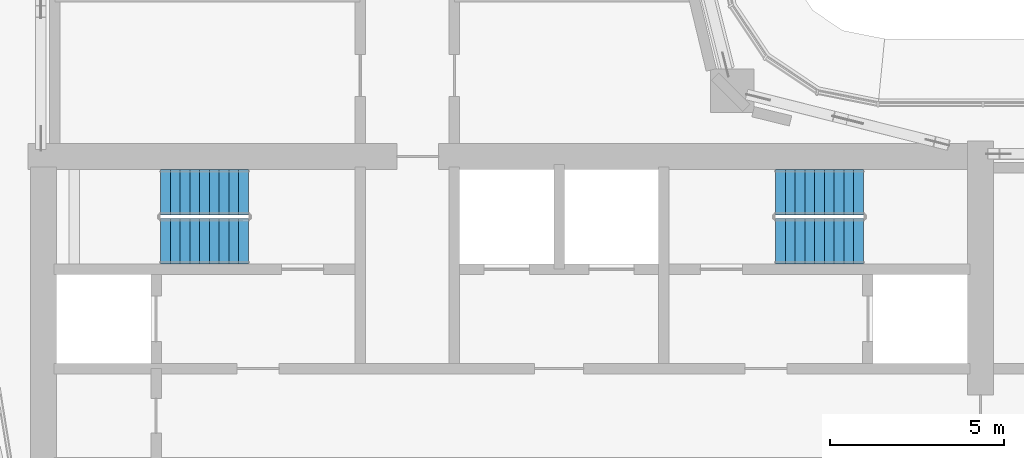
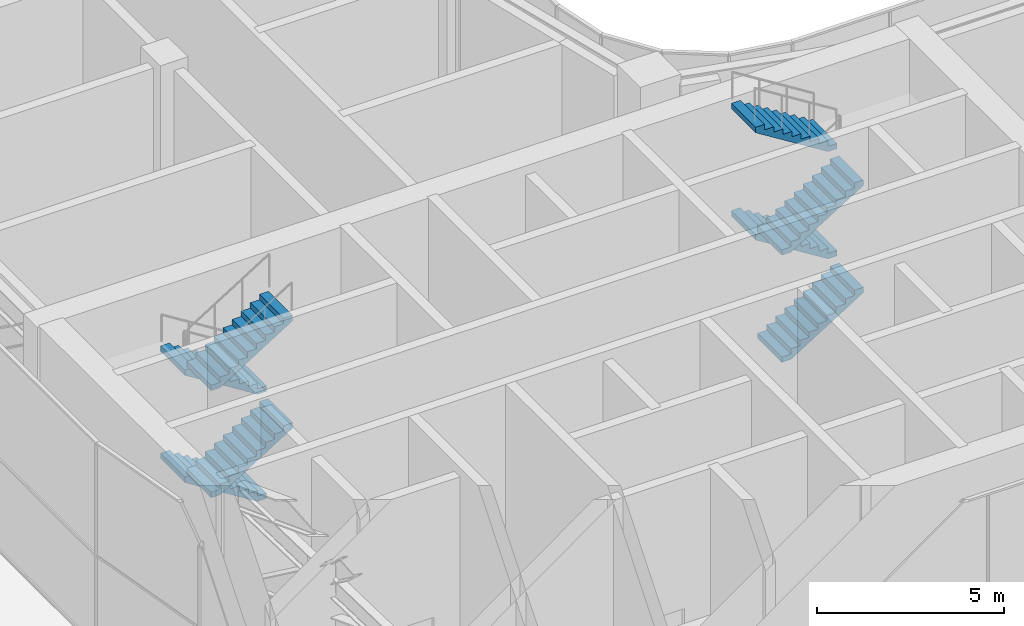
# One storey, part 19 of 35: 8 stair flights, 2 elements without a shape of their own.
"""IFC4 building model written with IfcOpenShell, lengths in metres."""

from ifc_helpers import new_model, si_unit, direction, frame, origin, place, context, subcontext, project, spatial, triangles, source, transform, mapped, material, type_object, element, aggregate, save


model = new_model("IFC4")

# Units and contexts
model_context = context("Model", 3, precision=1e-05, world=origin(), true_north=direction((0.0, 1.0)))
body_context = subcontext(model_context, "Body", "Model", "MODEL_VIEW")
ifc_project = project(units=[si_unit("LENGTHUNIT", "METRE"), si_unit("AREAUNIT", "SQUARE_METRE"), si_unit("VOLUMEUNIT", "CUBIC_METRE"), si_unit("PLANEANGLEUNIT", "RADIAN"), si_unit("MASSUNIT", "GRAM", prefix="KILO")], contexts=[model_context])

# Site, building, storey
site_placement = place(None, origin())
site = spatial("IfcSite", under=ifc_project, at=site_placement, CompositionType="ELEMENT")
building_placement = place(site_placement, origin())
building = spatial("IfcBuilding", under=site, at=building_placement, Name="Ogive Portal Towers", CompositionType="ELEMENT")
storey_placement = place(building_placement, frame((0.0, 0.0, 135.199951171875)))
storey = spatial("IfcBuildingStorey", under=building, at=storey_placement, Name="L33", CompositionType="ELEMENT", Elevation=135.199951171875)

# Stair, stair flights
ifc_material = material(Name="Concrete C40/50", Category="concrete")
stair_type = type_object("IfcStairType", Name="INT-STAIR", PredefinedType="HALF_TURN_STAIR", material=ifc_material)
stair_1_placement = place(storey_placement, origin())
stair_1 = element("IfcStair", 1, at=stair_1_placement, inside=storey, type_object=stair_type, Name="L33 Exit Stair ST-A1", PredefinedType="HALF_TURN_STAIR")
stair_flight_type = type_object("IfcStairFlightType", Name="INT-FLIGHT", PredefinedType="STRAIGHT", material=ifc_material)
shared_shape = source(origin(), body_context, "Body", "Tessellation", [
    triangles([(0.0, -0.650146484375, 0.0), (0.0, -0.376220703125, 0.0), (0.0, -0.192626953125, 0.0), (0.0, -0.081298828125, 0.0), (0.0, -0.024169921875, 0.0), (0.0, -0.003173828125, 0.0), (0.0, 0.0, 0.0), (0.0, 0.0029296875, 0.0), (0.0, 0.02392578125, 0.0), (0.0, 0.0810546875, 0.0), (0.0, 0.1923828125, 0.0), (0.0, 0.3759765625, 0.0), (0.0, 0.64990234375, 0.0), (0.0, -0.650146484375, 0.175048828125), (0.0, -0.376220703125, 0.175048828125), (0.0, -0.192626953125, 0.175048828125), (0.0, -0.081298828125, 0.175048828125), (0.0, -0.024169921875, 0.175048828125), (0.0, -0.003173828125, 0.175048828125), (0.0, 0.0, 0.175048828125), (0.0, 0.0029296875, 0.175048828125), (0.0, 0.02392578125, 0.175048828125), (0.0, 0.0810546875, 0.175048828125), (0.0, 0.1923828125, 0.175048828125), (0.0, 0.3759765625, 0.175048828125), (0.0, 0.64990234375, 0.175048828125), (0.280029296875, -0.650146484375, 0.175048828125), (0.280029296875, -0.376220703125, 0.175048828125), (0.280029296875, -0.192626953125, 0.175048828125), (0.280029296875, -0.081298828125, 0.175048828125), (0.280029296875, -0.024169921875, 0.175048828125), (0.280029296875, -0.003173828125, 0.175048828125), (0.280029296875, 0.0, 0.175048828125), (0.280029296875, 0.0029296875, 0.175048828125), (0.280029296875, 0.02392578125, 0.175048828125), (0.280029296875, 0.0810546875, 0.175048828125), (0.280029296875, 0.1923828125, 0.175048828125), (0.280029296875, 0.3759765625, 0.175048828125), (0.280029296875, 0.64990234375, 0.175048828125), (0.280029296875, -0.650146484375, 0.35009765625), (0.280029296875, -0.376220703125, 0.35009765625), (0.280029296875, -0.192626953125, 0.35009765625), (0.280029296875, -0.081298828125, 0.35009765625), (0.280029296875, -0.024169921875, 0.35009765625), (0.280029296875, -0.003173828125, 0.35009765625), (0.280029296875, 0.0, 0.35009765625), (0.280029296875, 0.0029296875, 0.35009765625), (0.280029296875, 0.02392578125, 0.35009765625), (0.280029296875, 0.0810546875, 0.35009765625), (0.280029296875, 0.1923828125, 0.35009765625), (0.280029296875, 0.3759765625, 0.35009765625), (0.280029296875, 0.64990234375, 0.35009765625), (0.56005859375, -0.650146484375, 0.35009765625), (0.56005859375, -0.376220703125, 0.35009765625), (0.56005859375, -0.192626953125, 0.35009765625), (0.56005859375, -0.081298828125, 0.35009765625), (0.56005859375, -0.024169921875, 0.35009765625), (0.56005859375, -0.003173828125, 0.35009765625), (0.56005859375, 0.0, 0.35009765625), (0.56005859375, 0.0029296875, 0.35009765625), (0.56005859375, 0.02392578125, 0.35009765625), (0.56005859375, 0.0810546875, 0.35009765625), (0.56005859375, 0.1923828125, 0.35009765625), (0.56005859375, 0.3759765625, 0.35009765625), (0.56005859375, 0.64990234375, 0.35009765625), (0.56005859375, -0.650146484375, 0.52490234375), (0.56005859375, -0.376220703125, 0.52490234375), (0.56005859375, -0.192626953125, 0.52490234375), (0.56005859375, -0.081298828125, 0.52490234375), (0.56005859375, -0.024169921875, 0.52490234375), (0.56005859375, -0.003173828125, 0.52490234375), (0.56005859375, 0.0, 0.52490234375), (0.56005859375, 0.0029296875, 0.52490234375), (0.56005859375, 0.02392578125, 0.52490234375), (0.56005859375, 0.0810546875, 0.52490234375), (0.56005859375, 0.1923828125, 0.52490234375), (0.56005859375, 0.3759765625, 0.52490234375), (0.56005859375, 0.64990234375, 0.52490234375), (0.840087890625, -0.650146484375, 0.52490234375), (0.840087890625, -0.376220703125, 0.52490234375), (0.840087890625, -0.192626953125, 0.52490234375), (0.840087890625, -0.081298828125, 0.52490234375), (0.840087890625, -0.024169921875, 0.52490234375), (0.840087890625, -0.003173828125, 0.52490234375), (0.840087890625, 0.0, 0.52490234375), (0.840087890625, 0.0029296875, 0.52490234375), (0.840087890625, 0.02392578125, 0.52490234375), (0.840087890625, 0.0810546875, 0.52490234375), (0.840087890625, 0.1923828125, 0.52490234375), (0.840087890625, 0.3759765625, 0.52490234375), (0.840087890625, 0.64990234375, 0.52490234375), (0.840087890625, -0.650146484375, 0.699951171875), (0.840087890625, -0.376220703125, 0.699951171875), (0.840087890625, -0.192626953125, 0.699951171875), (0.840087890625, -0.081298828125, 0.699951171875), (0.840087890625, -0.024169921875, 0.699951171875), (0.840087890625, -0.003173828125, 0.699951171875), (0.840087890625, 0.0, 0.699951171875), (0.840087890625, 0.0029296875, 0.699951171875), (0.840087890625, 0.02392578125, 0.699951171875), (0.840087890625, 0.0810546875, 0.699951171875), (0.840087890625, 0.1923828125, 0.699951171875), (0.840087890625, 0.3759765625, 0.699951171875), (0.840087890625, 0.64990234375, 0.699951171875), (1.1201171875, -0.650146484375, 0.699951171875), (1.1201171875, -0.376220703125, 0.699951171875), (1.1201171875, -0.192626953125, 0.699951171875), (1.1201171875, -0.081298828125, 0.699951171875), (1.1201171875, -0.024169921875, 0.699951171875), (1.1201171875, -0.003173828125, 0.699951171875), (1.1201171875, 0.0, 0.699951171875), (1.1201171875, 0.0029296875, 0.699951171875), (1.1201171875, 0.02392578125, 0.699951171875), (1.1201171875, 0.0810546875, 0.699951171875), (1.1201171875, 0.1923828125, 0.699951171875), (1.1201171875, 0.3759765625, 0.699951171875), (1.1201171875, 0.64990234375, 0.699951171875), (1.1201171875, -0.650146484375, 0.875), (1.1201171875, -0.376220703125, 0.875), (1.1201171875, -0.192626953125, 0.875), (1.1201171875, -0.081298828125, 0.875), (1.1201171875, -0.024169921875, 0.875), (1.1201171875, -0.003173828125, 0.875), (1.1201171875, 0.0, 0.875), (1.1201171875, 0.0029296875, 0.875), (1.1201171875, 0.02392578125, 0.875), (1.1201171875, 0.0810546875, 0.875), (1.1201171875, 0.1923828125, 0.875), (1.1201171875, 0.3759765625, 0.875), (1.1201171875, 0.64990234375, 0.875), (1.39990234375, -0.650146484375, 0.875), (1.39990234375, -0.376220703125, 0.875), (1.39990234375, -0.192626953125, 0.875), (1.39990234375, -0.081298828125, 0.875), (1.39990234375, -0.024169921875, 0.875), (1.39990234375, -0.003173828125, 0.875), (1.39990234375, 0.0, 0.875), (1.39990234375, 0.0029296875, 0.875), (1.39990234375, 0.02392578125, 0.875), (1.39990234375, 0.0810546875, 0.875), (1.39990234375, 0.1923828125, 0.875), (1.39990234375, 0.3759765625, 0.875), (1.39990234375, 0.64990234375, 0.875), (1.39990234375, -0.650146484375, 1.050048828125), (1.39990234375, -0.376220703125, 1.050048828125), (1.39990234375, -0.192626953125, 1.050048828125), (1.39990234375, -0.081298828125, 1.050048828125), (1.39990234375, -0.024169921875, 1.050048828125), (1.39990234375, -0.003173828125, 1.050048828125), (1.39990234375, 0.0, 1.050048828125), (1.39990234375, 0.0029296875, 1.050048828125), (1.39990234375, 0.02392578125, 1.050048828125), (1.39990234375, 0.0810546875, 1.050048828125), (1.39990234375, 0.1923828125, 1.050048828125), (1.39990234375, 0.3759765625, 1.050048828125), (1.39990234375, 0.64990234375, 1.050048828125), (1.679931640625, -0.650146484375, 1.050048828125), (1.679931640625, -0.376220703125, 1.050048828125), (1.679931640625, -0.192626953125, 1.050048828125), (1.679931640625, -0.081298828125, 1.050048828125), (1.679931640625, -0.024169921875, 1.050048828125), (1.679931640625, -0.003173828125, 1.050048828125), (1.679931640625, 0.0, 1.050048828125), (1.679931640625, 0.0029296875, 1.050048828125), (1.679931640625, 0.02392578125, 1.050048828125), (1.679931640625, 0.0810546875, 1.050048828125), (1.679931640625, 0.1923828125, 1.050048828125), (1.679931640625, 0.3759765625, 1.050048828125), (1.679931640625, 0.64990234375, 1.050048828125), (1.679931640625, -0.650146484375, 1.22509765625), (1.679931640625, -0.376220703125, 1.22509765625), (1.679931640625, -0.192626953125, 1.22509765625), (1.679931640625, -0.081298828125, 1.22509765625), (1.679931640625, -0.024169921875, 1.22509765625), (1.679931640625, -0.003173828125, 1.22509765625), (1.679931640625, 0.0, 1.22509765625), (1.679931640625, 0.0029296875, 1.22509765625), (1.679931640625, 0.02392578125, 1.22509765625), (1.679931640625, 0.0810546875, 1.22509765625), (1.679931640625, 0.1923828125, 1.22509765625), (1.679931640625, 0.3759765625, 1.22509765625), (1.679931640625, 0.64990234375, 1.22509765625), (1.9599609375, -0.650146484375, 1.22509765625), (1.9599609375, -0.376220703125, 1.22509765625), (1.9599609375, -0.192626953125, 1.22509765625), (1.9599609375, -0.081298828125, 1.22509765625), (1.9599609375, -0.024169921875, 1.22509765625), (1.9599609375, -0.003173828125, 1.22509765625), (1.9599609375, 0.0, 1.22509765625), (1.9599609375, 0.0029296875, 1.22509765625), (1.9599609375, 0.02392578125, 1.22509765625), (1.9599609375, 0.0810546875, 1.22509765625), (1.9599609375, 0.1923828125, 1.22509765625), (1.9599609375, 0.3759765625, 1.22509765625), (1.9599609375, 0.64990234375, 1.22509765625), (1.9599609375, -0.650146484375, 1.39990234375), (1.9599609375, -0.376220703125, 1.39990234375), (1.9599609375, -0.192626953125, 1.39990234375), (1.9599609375, -0.081298828125, 1.39990234375), (1.9599609375, -0.024169921875, 1.39990234375), (1.9599609375, -0.003173828125, 1.39990234375), (1.9599609375, 0.0, 1.39990234375), (1.9599609375, 0.0029296875, 1.39990234375), (1.9599609375, 0.02392578125, 1.39990234375), (1.9599609375, 0.0810546875, 1.39990234375), (1.9599609375, 0.1923828125, 1.39990234375), (1.9599609375, 0.3759765625, 1.39990234375), (1.9599609375, 0.64990234375, 1.39990234375), (2.239990234375, -0.650146484375, 1.39990234375), (2.239990234375, -0.376220703125, 1.39990234375), (2.239990234375, -0.192626953125, 1.39990234375), (2.239990234375, -0.081298828125, 1.39990234375), (2.239990234375, -0.024169921875, 1.39990234375), (2.239990234375, -0.003173828125, 1.39990234375), (2.239990234375, 0.0, 1.39990234375), (2.239990234375, 0.0029296875, 1.39990234375), (2.239990234375, 0.02392578125, 1.39990234375), (2.239990234375, 0.0810546875, 1.39990234375), (2.239990234375, 0.1923828125, 1.39990234375), (2.239990234375, 0.3759765625, 1.39990234375), (2.239990234375, 0.64990234375, 1.39990234375), (2.239990234375, -0.650146484375, 1.574951171875), (2.239990234375, -0.376220703125, 1.574951171875), (2.239990234375, -0.192626953125, 1.574951171875), (2.239990234375, -0.081298828125, 1.574951171875), (2.239990234375, -0.024169921875, 1.574951171875), (2.239990234375, -0.003173828125, 1.574951171875), (2.239990234375, 0.0, 1.574951171875), (2.239990234375, 0.0029296875, 1.574951171875), (2.239990234375, 0.02392578125, 1.574951171875), (2.239990234375, 0.0810546875, 1.574951171875), (2.239990234375, 0.1923828125, 1.574951171875), (2.239990234375, 0.3759765625, 1.574951171875), (2.239990234375, 0.64990234375, 1.574951171875), (2.52001953125, -0.650146484375, 1.574951171875), (2.52001953125, -0.376220703125, 1.574951171875), (2.52001953125, -0.192626953125, 1.574951171875), (2.52001953125, -0.081298828125, 1.574951171875), (2.52001953125, -0.024169921875, 1.574951171875), (2.52001953125, -0.003173828125, 1.574951171875), (2.52001953125, 0.0, 1.574951171875), (2.52001953125, 0.0029296875, 1.574951171875), (2.52001953125, 0.02392578125, 1.574951171875), (2.52001953125, 0.0810546875, 1.574951171875), (2.52001953125, 0.1923828125, 1.574951171875), (2.52001953125, 0.3759765625, 1.574951171875), (2.52001953125, 0.64990234375, 1.574951171875), (2.52001953125, -0.650146484375, 1.398193359375), (2.52001953125, -0.376220703125, 1.398193359375), (2.52001953125, -0.192626953125, 1.398193359375), (2.52001953125, -0.081298828125, 1.398193359375), (2.52001953125, -0.024169921875, 1.398193359375), (2.52001953125, -0.003173828125, 1.398193359375), (2.52001953125, 0.0, 1.398193359375), (2.52001953125, 0.0029296875, 1.398193359375), (2.52001953125, 0.02392578125, 1.398193359375), (2.52001953125, 0.0810546875, 1.398193359375), (2.52001953125, 0.1923828125, 1.398193359375), (2.52001953125, 0.3759765625, 1.398193359375), (2.52001953125, 0.64990234375, 1.398193359375), (0.28271484375, -0.650146484375, 0.0), (0.28271484375, -0.376220703125, 0.0), (0.28271484375, -0.192626953125, 0.0), (0.28271484375, -0.081298828125, 0.0), (0.28271484375, -0.024169921875, 0.0), (0.28271484375, -0.003173828125, 0.0), (0.28271484375, 0.0, 0.0), (0.28271484375, 0.0029296875, 0.0), (0.28271484375, 0.02392578125, 0.0), (0.28271484375, 0.0810546875, 0.0), (0.28271484375, 0.1923828125, 0.0), (0.28271484375, 0.3759765625, 0.0), (0.28271484375, 0.64990234375, 0.0)], [[1, 14, 15], [1, 15, 2], [2, 15, 16], [2, 16, 3], [3, 16, 17], [3, 17, 4], [4, 17, 18], [4, 18, 5], [5, 18, 19], [5, 19, 6], [6, 19, 20], [6, 20, 7], [7, 20, 21], [7, 21, 8], [8, 21, 22], [8, 22, 9], [9, 22, 23], [9, 23, 10], [10, 23, 24], [10, 24, 11], [11, 24, 25], [11, 25, 12], [12, 25, 26], [12, 26, 13], [14, 27, 28], [14, 28, 15], [15, 28, 29], [15, 29, 16], [16, 29, 30], [16, 30, 17], [17, 30, 31], [17, 31, 18], [18, 31, 32], [18, 32, 19], [19, 32, 33], [19, 33, 20], [20, 33, 34], [20, 34, 21], [21, 34, 35], [21, 35, 22], [22, 35, 36], [22, 36, 23], [23, 36, 37], [23, 37, 24], [24, 37, 38], [24, 38, 25], [25, 38, 39], [25, 39, 26], [27, 40, 41], [27, 41, 28], [28, 41, 42], [28, 42, 29], [29, 42, 43], [29, 43, 30], [30, 43, 44], [30, 44, 31], [31, 44, 45], [31, 45, 32], [32, 45, 46], [32, 46, 33], [33, 46, 47], [33, 47, 34], [34, 47, 48], [34, 48, 35], [35, 48, 49], [35, 49, 36], [36, 49, 50], [36, 50, 37], [37, 50, 51], [37, 51, 38], [38, 51, 52], [38, 52, 39], [40, 53, 54], [40, 54, 41], [41, 54, 55], [41, 55, 42], [42, 55, 56], [42, 56, 43], [43, 56, 57], [43, 57, 44], [44, 57, 58], [44, 58, 45], [45, 58, 59], [45, 59, 46], [46, 59, 60], [46, 60, 47], [47, 60, 61], [47, 61, 48], [48, 61, 62], [48, 62, 49], [49, 62, 63], [49, 63, 50], [50, 63, 64], [50, 64, 51], [51, 64, 65], [51, 65, 52], [53, 66, 67], [53, 67, 54], [54, 67, 68], [54, 68, 55], [55, 68, 69], [55, 69, 56], [56, 69, 70], [56, 70, 57], [57, 70, 71], [57, 71, 58], [58, 71, 72], [58, 72, 59], [59, 72, 73], [59, 73, 60], [60, 73, 74], [60, 74, 61], [61, 74, 75], [61, 75, 62], [62, 75, 76], [62, 76, 63], [63, 76, 77], [63, 77, 64], [64, 77, 78], [64, 78, 65], [66, 79, 80], [66, 80, 67], [67, 80, 81], [67, 81, 68], [68, 81, 82], [68, 82, 69], [69, 82, 83], [69, 83, 70], [70, 83, 84], [70, 84, 71], [71, 84, 85], [71, 85, 72], [72, 85, 86], [72, 86, 73], [73, 86, 87], [73, 87, 74], [74, 87, 88], [74, 88, 75], [75, 88, 89], [75, 89, 76], [76, 89, 90], [76, 90, 77], [77, 90, 91], [77, 91, 78], [79, 92, 93], [79, 93, 80], [80, 93, 94], [80, 94, 81], [81, 94, 95], [81, 95, 82], [82, 95, 96], [82, 96, 83], [83, 96, 97], [83, 97, 84], [84, 97, 98], [84, 98, 85], [85, 98, 99], [85, 99, 86], [86, 99, 100], [86, 100, 87], [87, 100, 101], [87, 101, 88], [88, 101, 102], [88, 102, 89], [89, 102, 103], [89, 103, 90], [90, 103, 104], [90, 104, 91], [92, 105, 106], [92, 106, 93], [93, 106, 107], [93, 107, 94], [94, 107, 108], [94, 108, 95], [95, 108, 109], [95, 109, 96], [96, 109, 110], [96, 110, 97], [97, 110, 111], [97, 111, 98], [98, 111, 112], [98, 112, 99], [99, 112, 113], [99, 113, 100], [100, 113, 114], [100, 114, 101], [101, 114, 115], [101, 115, 102], [102, 115, 116], [102, 116, 103], [103, 116, 117], [103, 117, 104], [105, 118, 119], [105, 119, 106], [106, 119, 120], [106, 120, 107], [107, 120, 121], [107, 121, 108], [108, 121, 122], [108, 122, 109], [109, 122, 123], [109, 123, 110], [110, 123, 124], [110, 124, 111], [111, 124, 125], [111, 125, 112], [112, 125, 126], [112, 126, 113], [113, 126, 127], [113, 127, 114], [114, 127, 128], [114, 128, 115], [115, 128, 129], [115, 129, 116], [116, 129, 130], [116, 130, 117], [118, 131, 132], [118, 132, 119], [119, 132, 133], [119, 133, 120], [120, 133, 134], [120, 134, 121], [121, 134, 135], [121, 135, 122], [122, 135, 136], [122, 136, 123], [123, 136, 137], [123, 137, 124], [124, 137, 138], [124, 138, 125], [125, 138, 139], [125, 139, 126], [126, 139, 140], [126, 140, 127], [127, 140, 141], [127, 141, 128], [128, 141, 142], [128, 142, 129], [129, 142, 143], [129, 143, 130], [131, 144, 145], [131, 145, 132], [132, 145, 146], [132, 146, 133], [133, 146, 147], [133, 147, 134], [134, 147, 148], [134, 148, 135], [135, 148, 149], [135, 149, 136], [136, 149, 150], [136, 150, 137], [137, 150, 151], [137, 151, 138], [138, 151, 152], [138, 152, 139], [139, 152, 153], [139, 153, 140], [140, 153, 154], [140, 154, 141], [141, 154, 155], [141, 155, 142], [142, 155, 156], [142, 156, 143], [144, 157, 158], [144, 158, 145], [145, 158, 159], [145, 159, 146], [146, 159, 160], [146, 160, 147], [147, 160, 161], [147, 161, 148], [148, 161, 162], [148, 162, 149], [149, 162, 163], [149, 163, 150], [150, 163, 164], [150, 164, 151], [151, 164, 165], [151, 165, 152], [152, 165, 166], [152, 166, 153], [153, 166, 167], [153, 167, 154], [154, 167, 168], [154, 168, 155], [155, 168, 169], [155, 169, 156], [157, 170, 171], [157, 171, 158], [158, 171, 172], [158, 172, 159], [159, 172, 173], [159, 173, 160], [160, 173, 174], [160, 174, 161], [161, 174, 175], [161, 175, 162], [162, 175, 176], [162, 176, 163], [163, 176, 177], [163, 177, 164], [164, 177, 178], [164, 178, 165], [165, 178, 179], [165, 179, 166], [166, 179, 180], [166, 180, 167], [167, 180, 181], [167, 181, 168], [168, 181, 182], [168, 182, 169], [170, 183, 184], [170, 184, 171], [171, 184, 185], [171, 185, 172], [172, 185, 186], [172, 186, 173], [173, 186, 187], [173, 187, 174], [174, 187, 188], [174, 188, 175], [175, 188, 189], [175, 189, 176], [176, 189, 190], [176, 190, 177], [177, 190, 191], [177, 191, 178], [178, 191, 192], [178, 192, 179], [179, 192, 193], [179, 193, 180], [180, 193, 194], [180, 194, 181], [181, 194, 195], [181, 195, 182], [183, 196, 197], [183, 197, 184], [184, 197, 198], [184, 198, 185], [185, 198, 199], [185, 199, 186], [186, 199, 200], [186, 200, 187], [187, 200, 201], [187, 201, 188], [188, 201, 202], [188, 202, 189], [189, 202, 203], [189, 203, 190], [190, 203, 204], [190, 204, 191], [191, 204, 205], [191, 205, 192], [192, 205, 206], [192, 206, 193], [193, 206, 207], [193, 207, 194], [194, 207, 208], [194, 208, 195], [196, 209, 210], [196, 210, 197], [197, 210, 211], [197, 211, 198], [198, 211, 212], [198, 212, 199], [199, 212, 213], [199, 213, 200], [200, 213, 214], [200, 214, 201], [201, 214, 215], [201, 215, 202], [202, 215, 216], [202, 216, 203], [203, 216, 217], [203, 217, 204], [204, 217, 218], [204, 218, 205], [205, 218, 219], [205, 219, 206], [206, 219, 220], [206, 220, 207], [207, 220, 221], [207, 221, 208], [209, 222, 223], [209, 223, 210], [210, 223, 224], [210, 224, 211], [211, 224, 225], [211, 225, 212], [212, 225, 226], [212, 226, 213], [213, 226, 227], [213, 227, 214], [214, 227, 228], [214, 228, 215], [215, 228, 229], [215, 229, 216], [216, 229, 230], [216, 230, 217], [217, 230, 231], [217, 231, 218], [218, 231, 232], [218, 232, 219], [219, 232, 233], [219, 233, 220], [220, 233, 234], [220, 234, 221], [222, 235, 236], [222, 236, 223], [223, 236, 237], [223, 237, 224], [224, 237, 238], [224, 238, 225], [225, 238, 239], [225, 239, 226], [226, 239, 240], [226, 240, 227], [227, 240, 241], [227, 241, 228], [228, 241, 242], [228, 242, 229], [229, 242, 243], [229, 243, 230], [230, 243, 244], [230, 244, 231], [231, 244, 245], [231, 245, 232], [232, 245, 246], [232, 246, 233], [233, 246, 247], [233, 247, 234], [235, 248, 249], [235, 249, 236], [236, 249, 250], [236, 250, 237], [237, 250, 251], [237, 251, 238], [238, 251, 252], [238, 252, 239], [239, 252, 253], [239, 253, 240], [240, 253, 254], [240, 254, 241], [241, 254, 255], [241, 255, 242], [242, 255, 256], [242, 256, 243], [243, 256, 257], [243, 257, 244], [244, 257, 258], [244, 258, 245], [245, 258, 259], [245, 259, 246], [246, 259, 260], [246, 260, 247], [248, 261, 262], [248, 262, 249], [249, 262, 263], [249, 263, 250], [250, 263, 264], [250, 264, 251], [251, 264, 265], [251, 265, 252], [252, 265, 266], [252, 266, 253], [253, 266, 267], [253, 267, 254], [254, 267, 268], [254, 268, 255], [255, 268, 269], [255, 269, 256], [256, 269, 270], [256, 270, 257], [257, 270, 271], [257, 271, 258], [258, 271, 272], [258, 272, 259], [259, 272, 273], [259, 273, 260], [261, 1, 2], [261, 2, 262], [262, 2, 3], [262, 3, 263], [263, 3, 4], [263, 4, 264], [264, 4, 5], [264, 5, 265], [265, 5, 6], [265, 6, 266], [266, 6, 7], [266, 7, 267], [267, 7, 8], [267, 8, 268], [268, 8, 9], [268, 9, 269], [269, 9, 10], [269, 10, 270], [270, 10, 11], [270, 11, 271], [271, 11, 12], [271, 12, 272], [272, 12, 13], [272, 13, 273], [1, 261, 248], [13, 260, 273], [248, 235, 222], [260, 234, 247], [248, 222, 209], [260, 221, 234], [248, 209, 196], [260, 208, 221], [248, 196, 183], [260, 195, 208], [183, 170, 157], [195, 169, 182], [248, 183, 157], [260, 169, 195], [157, 144, 131], [169, 143, 156], [248, 157, 131], [260, 143, 169], [131, 118, 105], [143, 117, 130], [248, 131, 105], [260, 117, 143], [105, 92, 79], [117, 91, 104], [248, 105, 79], [260, 91, 117], [1, 248, 79], [13, 91, 260], [79, 66, 53], [91, 65, 78], [53, 40, 27], [65, 39, 52], [79, 53, 27], [91, 39, 65], [1, 79, 27], [13, 39, 91], [27, 14, 1], [39, 13, 26]], closed=True),
])
stair_flight_1_placement = place(storey_placement, frame((37.449951171875, 38.39990234375, 0.0), z_axis=(0.0, 0.0, 1.0), x_axis=(-1.0, 0.0, 0.0)))
stair_flight_1 = element("IfcStairFlight", 2, at=stair_flight_1_placement, type_object=stair_flight_type, Name="ST-A1 flight 1", NumberOfRisers=10, NumberOfTreads=9, PredefinedType="STRAIGHT", RiserHeight=0.175, TreadLength=0.28, context=body_context, shape_type="MappedRepresentation", body=[
    mapped(shared_shape, transform((0.0, 0.0, 0.0), scale=1.0)),
])
stair_flight_2_placement = place(storey_placement, frame((34.929931640625, 37.0, 1.75), z_axis=(0.0, 0.0, 1.0), x_axis=(1.0, 0.0, 0.0)))
stair_flight_2 = element("IfcStairFlight", 3, at=stair_flight_2_placement, type_object=stair_flight_type, Name="ST-A1 flight 2", NumberOfRisers=10, NumberOfTreads=9, PredefinedType="STRAIGHT", RiserHeight=0.175, TreadLength=0.28, context=body_context, shape_type="MappedRepresentation", body=[
    mapped(shared_shape, transform((0.0, 0.0, 0.0), scale=1.0)),
])
stair_flight_3_placement = place(storey_placement, frame((37.449951171875, 38.39990234375, 3.5), z_axis=(0.0, 0.0, 1.0), x_axis=(-1.0, 0.0, 0.0)))
stair_flight_3 = element("IfcStairFlight", 4, at=stair_flight_3_placement, type_object=stair_flight_type, Name="ST-A1 flight 3", NumberOfRisers=10, NumberOfTreads=9, PredefinedType="STRAIGHT", RiserHeight=0.175, TreadLength=0.28, context=body_context, shape_type="MappedRepresentation", body=[
    mapped(shared_shape, transform((0.0, 0.0, 0.0), scale=1.0)),
])
stair_flight_4_placement = place(storey_placement, frame((34.929931640625, 37.0, 5.25), z_axis=(0.0, 0.0, 1.0), x_axis=(1.0, 0.0, 0.0)))
stair_flight_4 = element("IfcStairFlight", 5, at=stair_flight_4_placement, type_object=stair_flight_type, Name="ST-A1 flight 4", NumberOfRisers=10, NumberOfTreads=9, PredefinedType="STRAIGHT", RiserHeight=0.175, TreadLength=0.28, context=body_context, shape_type="MappedRepresentation", body=[
    mapped(shared_shape, transform((0.0, 0.0, 0.0), scale=1.0)),
])
aggregate(stair_1, [stair_flight_1, stair_flight_2, stair_flight_3, stair_flight_4])

stair_2_placement = place(storey_placement, origin())
stair_2 = element("IfcStair", 6, at=stair_2_placement, inside=storey, type_object=stair_type, Name="L33 Exit Stair ST-A2", PredefinedType="HALF_TURN_STAIR")
stair_flight_5_placement = place(storey_placement, frame((52.550048828125, 37.0, 0.0), z_axis=(0.0, 0.0, 1.0), x_axis=(1.0, 0.0, 0.0)))
stair_flight_5 = element("IfcStairFlight", 7, at=stair_flight_5_placement, type_object=stair_flight_type, Name="ST-A2 flight 1", NumberOfRisers=10, NumberOfTreads=9, PredefinedType="STRAIGHT", RiserHeight=0.175, TreadLength=0.28, context=body_context, shape_type="MappedRepresentation", body=[
    mapped(shared_shape, transform((0.0, 0.0, 0.0), scale=1.0)),
])
stair_flight_6_placement = place(storey_placement, frame((55.070068359375, 38.39990234375, 1.75), z_axis=(0.0, 0.0, 1.0), x_axis=(-1.0, 0.0, 0.0)))
stair_flight_6 = element("IfcStairFlight", 8, at=stair_flight_6_placement, type_object=stair_flight_type, Name="ST-A2 flight 2", NumberOfRisers=10, NumberOfTreads=9, PredefinedType="STRAIGHT", RiserHeight=0.175, TreadLength=0.28, context=body_context, shape_type="MappedRepresentation", body=[
    mapped(shared_shape, transform((0.0, 0.0, 0.0), scale=1.0)),
])
stair_flight_7_placement = place(storey_placement, frame((52.550048828125, 37.0, 3.5), z_axis=(0.0, 0.0, 1.0), x_axis=(1.0, 0.0, 0.0)))
stair_flight_7 = element("IfcStairFlight", 9, at=stair_flight_7_placement, type_object=stair_flight_type, Name="ST-A2 flight 3", NumberOfRisers=10, NumberOfTreads=9, PredefinedType="STRAIGHT", RiserHeight=0.175, TreadLength=0.28, context=body_context, shape_type="MappedRepresentation", body=[
    mapped(shared_shape, transform((0.0, 0.0, 0.0), scale=1.0)),
])
stair_flight_8_placement = place(storey_placement, frame((55.070068359375, 38.39990234375, 5.25), z_axis=(0.0, 0.0, 1.0), x_axis=(-1.0, 0.0, 0.0)))
stair_flight_8 = element("IfcStairFlight", 10, at=stair_flight_8_placement, type_object=stair_flight_type, Name="ST-A2 flight 4", NumberOfRisers=10, NumberOfTreads=9, PredefinedType="STRAIGHT", RiserHeight=0.175, TreadLength=0.28, context=body_context, shape_type="MappedRepresentation", body=[
    mapped(shared_shape, transform((0.0, 0.0, 0.0), scale=1.0)),
])
aggregate(stair_2, [stair_flight_5, stair_flight_6, stair_flight_7, stair_flight_8])

save(model, "model.ifc")
